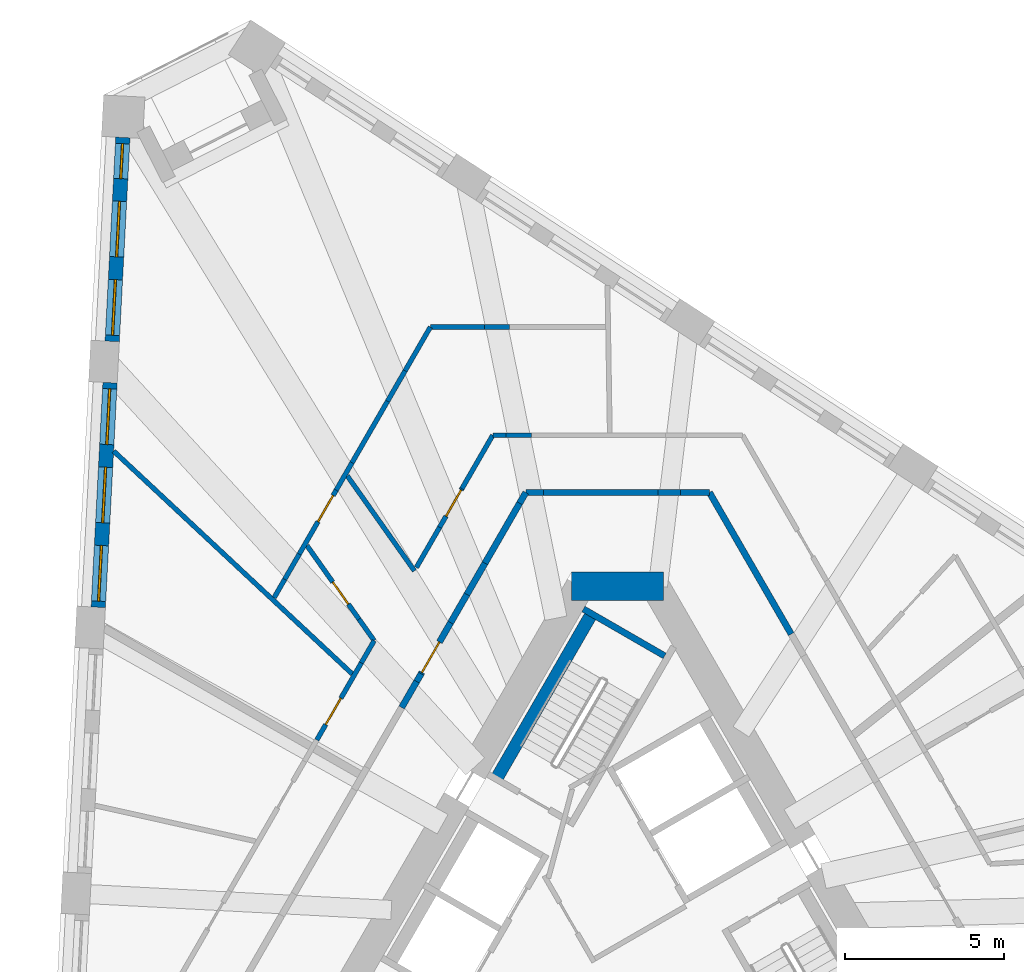
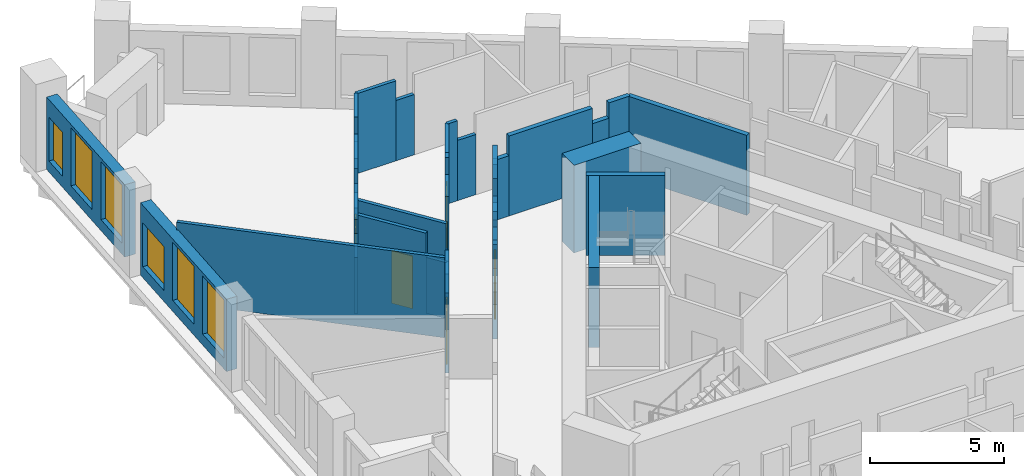
# One storey, part 7 of 13: 37 walls, 6 windows, 5 doors, 11 openings.
"""IFC4 building model written with IfcOpenShell, lengths in metres."""

from ifc_helpers import new_model, si_unit, direction, frame, frame_2d, origin, place, context, subcontext, project, spatial, polyline, rectangle, outline, extrude, material, layer, layer_set, type_object, element, fill, save


model = new_model("IFC4")

# Units and contexts
model_context = context("Model", 3, precision=1e-05, world=origin(), true_north=direction((0.0, 1.0)))
body_context = subcontext(model_context, "Body", "Model", "MODEL_VIEW")
ifc_project = project(units=[si_unit("LENGTHUNIT", "METRE"), si_unit("AREAUNIT", "SQUARE_METRE"), si_unit("VOLUMEUNIT", "CUBIC_METRE"), si_unit("PLANEANGLEUNIT", "RADIAN"), si_unit("MASSUNIT", "GRAM", prefix="KILO")], contexts=[model_context])

# Site, building, storey
site_placement = place(None, origin())
site = spatial("IfcSite", under=ifc_project, at=site_placement, CompositionType="ELEMENT")
building_placement = place(site_placement, origin())
building = spatial("IfcBuilding", under=site, at=building_placement, Name="Tramontana Tower", CompositionType="ELEMENT")
storey_placement = place(building_placement, frame((0.0, 0.0, 149.60009765625)))
storey = spatial("IfcBuildingStorey", under=building, at=storey_placement, Name="L34", CompositionType="ELEMENT", Elevation=149.60009765625)

# Walls
ifc_material_1 = material(Name="Concrete 70 MPa", Category="concrete")
ifc_layer_1 = layer(ifc_material_1, 0.89990234375)
ifc_layer_set_1 = layer_set([ifc_layer_1], Name="Core wall 900 70 MPa")
wall_type_1 = type_object("IfcWallType", Name="Core wall 900 70 MPa", PredefinedType="SHEAR", material=ifc_layer_set_1)
wall_1_placement = place(storey_placement, frame((1.443359375, 10.550048828125, 0.0), z_axis=(0.0, 0.0, 1.0), x_axis=(-1.0, 0.0, 0.0)))
element("IfcWall", 1, at=wall_1_placement, inside=storey, type_object=wall_type_1, Name="Core wall C0 L34", PredefinedType="SHEAR", context=body_context, shape_type="SweptSolid", body=[
    extrude(rectangle(XDim=2.88671875, YDim=0.89990234375, at=frame_2d((1.443359375, 0.0))), origin(), (0.0, 0.0, 1.0), 4.0),
])
ifc_material_2 = material(Name="Blockwork", Category="masonry")
ifc_layer_2 = layer(ifc_material_2, 0.199951171875)
ifc_layer_set_2 = layer_set([ifc_layer_2], Name="ENTRY WALL 200")
wall_type_2 = type_object("IfcWallType", Name="ENTRY WALL 200", PredefinedType="SOLIDWALL", material=ifc_layer_set_2)
wall_2_placement = place(storey_placement, frame((2.88671875, 13.5, 0.0), z_axis=(0.0, 0.0, 1.0), x_axis=(0.50000466804, -0.866022708674, 0.0)))
element("IfcWall", 2, at=wall_2_placement, inside=storey, type_object=wall_type_2, Name="Wall v32-ew0-0", PredefinedType="SOLIDWALL", context=body_context, shape_type="SweptSolid", body=[
    extrude(rectangle(XDim=5.14208984375, YDim=0.199951171875, at=frame_2d((2.571044921875, 0.0))), origin(), (0.0, 0.0, 1.0), 3.64990234375),
])
wall_3_placement = place(storey_placement, frame((-6.790283203125, 6.739013671875, 0.0), z_axis=(0.0, 0.0, 1.0), x_axis=(0.500118100521, 0.865957207679, 0.0)))
element("IfcWall", 3, at=wall_3_placement, inside=storey, type_object=wall_type_2, Name="Wall v32-ew4-5", PredefinedType="SOLIDWALL", context=body_context, shape_type="SweptSolid", body=[
    extrude(rectangle(XDim=0.943603515625, YDim=0.199951171875, at=frame_2d((0.4716796875, 0.0))), origin(), (0.0, 0.0, 1.0), 2.5498046875),
])
wall_4_placement = place(storey_placement, frame((-6.318359375, 7.55615234375, 0.0), z_axis=(0.0, 0.0, 1.0), x_axis=(0.499973348067, 0.866040790738, 0.0)))
element("IfcWall", 4, at=wall_4_placement, inside=storey, type_object=wall_type_2, Name="Wall v32-ew4-6", PredefinedType="SOLIDWALL", context=body_context, shape_type="SweptSolid", body=[
    extrude(rectangle(XDim=0.28076171875, YDim=0.199951171875, at=frame_2d((0.140380859375, 0.0))), origin(), (0.0, 0.0, 1.0), 3.64990234375),
])

# Wall, opening, door
wall_5_placement = place(storey_placement, frame((-6.177978515625, 7.79931640625, 0.0), z_axis=(0.0, 0.0, 1.0), x_axis=(0.499999386358, 0.86602575807, 0.0)))
wall_5 = element("IfcWall", 5, at=wall_5_placement, inside=storey, type_object=wall_type_2, Name="Wall v32-ew4-7", PredefinedType="SOLIDWALL", context=body_context, shape_type="SweptSolid", body=[
    extrude(outline(polyline([(0.0, 0.0), (1.85693359375, 0.0), (1.85693359375, 2.5498046875), (0.833251953125, 2.5498046875), (0.833251953125, 3.64990234375), (0.0, 3.64990234375), (0.0, 0.0)])), frame((0.0, 0.10009765625, 0.0), z_axis=(0.0, -1.0, 0.0), x_axis=(1.0, 0.0, 0.0)), (0.0, 0.0, 1.0), 0.199951171875),
])
opening_1_placement = place(wall_5_placement, frame((0.050048828125, 0.0, 0.0)))
opening_1 = element("IfcOpeningElement", 6, at=opening_1_placement, cuts=wall_5, Name="Opening B3C-21", PredefinedType="OPENING", context=body_context, shape_type="SweptSolid", body=[
    extrude(rectangle(XDim=1.10009765625, YDim=2.39990234375, at=frame_2d((0.550048828125, 1.199951171875))), frame((0.0, 0.10986328125, 0.0), z_axis=(0.0, -1.0, 0.0), x_axis=(1.0, 0.0, 0.0)), (0.0, 0.0, 1.0), 0.219970703125),
])
ifc_material_3 = material(Name="Painted timber", Category="wood")
door_type_1 = type_object("IfcDoorType", Name="DOOR ENTRY 1100", OperationType="SINGLE_SWING_LEFT", PredefinedType="DOOR", material=ifc_material_3)
door_1_placement = place(opening_1_placement, origin())
door_1 = element("IfcDoor", 7, at=door_1_placement, inside=storey, type_object=door_type_1, Name="Door B3C-21", OperationType="SINGLE_SWING_LEFT", OverallHeight=2.39990234375, OverallWidth=1.10009765625, PredefinedType="DOOR", context=body_context, shape_type="SweptSolid", body=[
    extrude(rectangle(XDim=1.10009765625, YDim=2.39990234375, at=frame_2d((0.550048828125, 1.199951171875))), frame((0.0, 0.02490234375, 0.0), z_axis=(0.0, -1.0, 0.0), x_axis=(1.0, 0.0, 0.0)), (0.0, 0.0, 1.0), 0.050048828125),
])
fill(opening_1, door_1)

# Walls
wall_6_placement = place(storey_placement, frame((-5.24951171875, 9.407470703125, 0.0), z_axis=(0.0, 0.0, 1.0), x_axis=(0.499991148707, 0.866030514021, 0.0)))
element("IfcWall", 8, at=wall_6_placement, inside=storey, type_object=wall_type_2, Name="Wall v32-ew4-8", PredefinedType="SOLIDWALL", context=body_context, shape_type="SweptSolid", body=[
    extrude(rectangle(XDim=1.0224609375, YDim=0.199951171875, at=frame_2d((0.51123046875, 0.0))), origin(), (0.0, 0.0, 1.0), 3.64990234375),
])
wall_7_placement = place(storey_placement, frame((-4.73828125, 10.29296875, 0.0), z_axis=(0.0, 0.0, 1.0), x_axis=(0.500001688065, 0.866024429177, 0.0)))
element("IfcWall", 9, at=wall_7_placement, inside=storey, type_object=wall_type_2, Name="Wall v32-ew4-9", PredefinedType="SOLIDWALL", context=body_context, shape_type="SweptSolid", body=[
    extrude(rectangle(XDim=1.13525390625, YDim=0.199951171875, at=frame_2d((0.567626953125, 0.0))), origin(), (0.0, 0.0, 1.0), 2.5498046875),
])
wall_8_placement = place(storey_placement, frame((-4.170654296875, 11.276123046875, 0.0), z_axis=(0.0, 0.0, 1.0), x_axis=(0.50001992892, 0.866013897511, 0.0)))
element("IfcWall", 10, at=wall_8_placement, inside=storey, type_object=wall_type_2, Name="Wall v32-ew4-10", PredefinedType="SOLIDWALL", context=body_context, shape_type="SweptSolid", body=[
    extrude(rectangle(XDim=2.1787109375, YDim=0.199951171875, at=frame_2d((1.08935546875, 0.0))), origin(), (0.0, 0.0, 1.0), 3.64990234375),
])
wall_9_placement = place(storey_placement, frame((-3.081298828125, 13.162841796875, 0.0), z_axis=(0.0, 0.0, 1.0), x_axis=(0.499849133735, 0.866112488944, 0.0)))
element("IfcWall", 11, at=wall_9_placement, inside=storey, type_object=wall_type_2, Name="Wall v32-ew4-11", PredefinedType="SOLIDWALL", context=body_context, shape_type="SweptSolid", body=[
    extrude(rectangle(XDim=0.38916015625, YDim=0.199951171875, at=frame_2d((0.194580078125, 0.0))), origin(), (0.0, 0.0, 1.0), 2.75),
])
wall_10_placement = place(storey_placement, frame((-2.88671875, 13.5, 0.0), z_axis=(0.0, 0.0, 1.0), x_axis=(1.0, 0.0, 0.0)))
element("IfcWall", 12, at=wall_10_placement, inside=storey, type_object=wall_type_2, Name="Wall v32-ew5-0", PredefinedType="SOLIDWALL", context=body_context, shape_type="SweptSolid", body=[
    extrude(rectangle(XDim=0.55322265625, YDim=0.199951171875, at=frame_2d((0.276611328125, 0.0))), origin(), (0.0, 0.0, 1.0), 2.75),
])
wall_11_placement = place(storey_placement, frame((-2.33349609375, 13.5, 0.0), z_axis=(0.0, 0.0, 1.0), x_axis=(1.0, 0.0, 0.0)))
element("IfcWall", 13, at=wall_11_placement, inside=storey, type_object=wall_type_2, Name="Wall v32-ew5-1", PredefinedType="SOLIDWALL", context=body_context, shape_type="SweptSolid", body=[
    extrude(rectangle(XDim=3.6025390625, YDim=0.199951171875, at=frame_2d((1.80126953125, 0.0))), origin(), (0.0, 0.0, 1.0), 3.64990234375),
])
wall_12_placement = place(storey_placement, frame((1.26904296875, 13.5, 0.0), z_axis=(0.0, 0.0, 1.0), x_axis=(1.0, 0.0, 0.0)))
element("IfcWall", 14, at=wall_12_placement, inside=storey, type_object=wall_type_2, Name="Wall v32-ew5-2", PredefinedType="SOLIDWALL", context=body_context, shape_type="SweptSolid", body=[
    extrude(rectangle(XDim=0.704833984375, YDim=0.199951171875, at=frame_2d((0.3525390625, 0.0))), origin(), (0.0, 0.0, 1.0), 2.949951171875),
])
wall_13_placement = place(storey_placement, frame((1.973876953125, 13.5, 0.0), z_axis=(0.0, 0.0, 1.0), x_axis=(1.0, 0.0, 0.0)))
element("IfcWall", 15, at=wall_13_placement, inside=storey, type_object=wall_type_2, Name="Wall v32-ew5-3", PredefinedType="SOLIDWALL", context=body_context, shape_type="SweptSolid", body=[
    extrude(rectangle(XDim=0.912841796875, YDim=0.199951171875, at=frame_2d((0.45654296875, 0.0))), origin(), (0.0, 0.0, 1.0), 3.64990234375),
])

# Wall, openings, windows
ifc_material_4 = material(Name="Precast concrete 60 MPa", Category="concrete")
ifc_layer_3 = layer(ifc_material_4, 0.449951171875)
ifc_layer_set_3 = layer_set([ifc_layer_3], Name="Precast concrete 60 MPa, 450 mm")
wall_type_3 = type_object("IfcWallType", Name="EW1 Stone-faced precast wall 450", PredefinedType="SOLIDWALL", material=ifc_layer_set_3)
wall_14_placement = place(storey_placement, frame((-15.5556640625, 24.66259765625, 0.0), z_axis=(0.0, 0.0, 1.0), x_axis=(-0.052313391961, -0.998630717043, 0.0)))
wall_14 = element("IfcWall", 16, at=wall_14_placement, inside=storey, type_object=wall_type_3, Name="External wall L34 face 0 bay 1", PredefinedType="SOLIDWALL", context=body_context, shape_type="SweptSolid", body=[
    extrude(rectangle(XDim=6.421630859375, YDim=0.449951171875, at=frame_2d((3.2109375, 0.0))), origin(), (0.0, 0.0, 1.0), 3.2998046875),
])
opening_2_placement = place(wall_14_placement, frame((0.1953125, 0.0, 0.5)))
opening_2 = element("IfcOpeningElement", 17, at=opening_2_placement, cuts=wall_14, Name="Opening N2L", PredefinedType="OPENING", context=body_context, shape_type="SweptSolid", body=[
    extrude(rectangle(XDim=1.10009765625, YDim=2.0, at=frame_2d((0.550048828125, 1.0))), frame((0.0, 0.23486328125, 0.0), z_axis=(0.0, -1.0, 0.0), x_axis=(1.0, 0.0, 0.0)), (0.0, 0.0, 1.0), 0.469970703125),
])
opening_3_placement = place(wall_14_placement, frame((2.0107421875, 0.0, 0.5)))
opening_3 = element("IfcOpeningElement", 18, at=opening_3_placement, cuts=wall_14, Name="Opening M2", PredefinedType="OPENING", context=body_context, shape_type="SweptSolid", body=[
    extrude(rectangle(XDim=1.75, YDim=2.64990234375, at=frame_2d((0.875, 1.324951171875))), frame((0.0, 0.23486328125, 0.0), z_axis=(0.0, -1.0, 0.0), x_axis=(1.0, 0.0, 0.0)), (0.0, 0.0, 1.0), 0.469970703125),
])
opening_4_placement = place(wall_14_placement, frame((4.476318359375, 0.0, 0.5)))
opening_4 = element("IfcOpeningElement", 19, at=opening_4_placement, cuts=wall_14, Name="Opening M2", PredefinedType="OPENING", context=body_context, shape_type="SweptSolid", body=[
    extrude(rectangle(XDim=1.75, YDim=2.64990234375, at=frame_2d((0.875, 1.324951171875))), frame((0.0, 0.23486328125, 0.0), z_axis=(0.0, -1.0, 0.0), x_axis=(1.0, 0.0, 0.0)), (0.0, 0.0, 1.0), 0.469970703125),
])
ifc_material_5 = material(Name="Aluminum frame, double glazing unit", Category="aluminium")
window_type_1 = type_object("IfcWindowType", Name="M2 Window 1.75 x 2.65", PartitioningType="SINGLE_PANEL", PredefinedType="WINDOW", material=ifc_material_5)
window_1_placement = place(opening_3_placement, origin())
window_1 = element("IfcWindow", 20, at=window_1_placement, inside=storey, type_object=window_type_1, Name="Window M2 L34 face 0 module 2", OverallHeight=2.64990234375, OverallWidth=1.75, PartitioningType="SINGLE_PANEL", PredefinedType="WINDOW", context=body_context, shape_type="SweptSolid", body=[
    extrude(rectangle(XDim=1.75, YDim=2.64990234375, at=frame_2d((0.875, 1.324951171875))), frame((0.0, 0.030029296875, 0.0), z_axis=(0.0, -1.0, 0.0), x_axis=(1.0, 0.0, 0.0)), (0.0, 0.0, 1.0), 0.06005859375),
])
fill(opening_3, window_1)
window_2_placement = place(opening_4_placement, origin())
window_2 = element("IfcWindow", 21, at=window_2_placement, inside=storey, type_object=window_type_1, Name="Window M2 L34 face 0 module 3", OverallHeight=2.64990234375, OverallWidth=1.75, PartitioningType="SINGLE_PANEL", PredefinedType="WINDOW", context=body_context, shape_type="SweptSolid", body=[
    extrude(rectangle(XDim=1.75, YDim=2.64990234375, at=frame_2d((0.875, 1.324951171875))), frame((0.0, 0.030029296875, 0.0), z_axis=(0.0, -1.0, 0.0), x_axis=(1.0, 0.0, 0.0)), (0.0, 0.0, 1.0), 0.06005859375),
])
fill(opening_4, window_2)
ifc_material_6 = material(Name="Aluminum frame, double glazing unit", Category="aluminium")
window_type_2 = type_object("IfcWindowType", Name="N2L Window 1.1 x 2", PartitioningType="SINGLE_PANEL", PredefinedType="WINDOW", material=ifc_material_6)
window_3_placement = place(opening_2_placement, origin())
window_3 = element("IfcWindow", 22, at=window_3_placement, inside=storey, type_object=window_type_2, Name="Window N2L L34 face 0 module 1", OverallHeight=2.0, OverallWidth=1.10009765625, PartitioningType="SINGLE_PANEL", PredefinedType="WINDOW", context=body_context, shape_type="SweptSolid", body=[
    extrude(rectangle(XDim=1.10009765625, YDim=2.0, at=frame_2d((0.550048828125, 1.0))), frame((0.0, 0.030029296875, 0.0), z_axis=(0.0, -1.0, 0.0), x_axis=(1.0, 0.0, 0.0)), (0.0, 0.0, 1.0), 0.06005859375),
])
fill(opening_2, window_3)

wall_15_placement = place(storey_placement, frame((-15.959716796875, 16.95166015625, 0.0), z_axis=(0.0, 0.0, 1.0), x_axis=(-0.052337766399, -0.998629439887, 0.0)))
wall_15 = element("IfcWall", 23, at=wall_15_placement, inside=storey, type_object=wall_type_3, Name="External wall L34 face 0 bay 2", PredefinedType="SOLIDWALL", context=body_context, shape_type="SweptSolid", body=[
    extrude(rectangle(XDim=7.07177734375, YDim=0.449951171875, at=frame_2d((3.535888671875, 0.0))), origin(), (0.0, 0.0, 1.0), 3.2998046875),
])
opening_5_placement = place(wall_15_placement, frame((0.1953125, 0.0, 0.5)))
opening_5 = element("IfcOpeningElement", 24, at=opening_5_placement, cuts=wall_15, Name="Opening M2L", PredefinedType="OPENING", context=body_context, shape_type="SweptSolid", body=[
    extrude(rectangle(XDim=1.75, YDim=2.0, at=frame_2d((0.875, 1.0))), frame((0.0, 0.23486328125, 0.0), z_axis=(0.0, -1.0, 0.0), x_axis=(1.0, 0.0, 0.0)), (0.0, 0.0, 1.0), 0.469970703125),
])
opening_6_placement = place(wall_15_placement, frame((2.660888671875, 0.0, 0.5)))
opening_6 = element("IfcOpeningElement", 25, at=opening_6_placement, cuts=wall_15, Name="Opening M2", PredefinedType="OPENING", context=body_context, shape_type="SweptSolid", body=[
    extrude(rectangle(XDim=1.75, YDim=2.64990234375, at=frame_2d((0.875, 1.324951171875))), frame((0.0, 0.23486328125, 0.0), z_axis=(0.0, -1.0, 0.0), x_axis=(1.0, 0.0, 0.0)), (0.0, 0.0, 1.0), 0.469970703125),
])
opening_7_placement = place(wall_15_placement, frame((5.126220703125, 0.0, 0.5)))
opening_7 = element("IfcOpeningElement", 26, at=opening_7_placement, cuts=wall_15, Name="Opening M2", PredefinedType="OPENING", context=body_context, shape_type="SweptSolid", body=[
    extrude(rectangle(XDim=1.75, YDim=2.64990234375, at=frame_2d((0.875, 1.324951171875))), frame((0.0, 0.23486328125, 0.0), z_axis=(0.0, -1.0, 0.0), x_axis=(1.0, 0.0, 0.0)), (0.0, 0.0, 1.0), 0.469970703125),
])
window_4_placement = place(opening_6_placement, origin())
window_4 = element("IfcWindow", 27, at=window_4_placement, inside=storey, type_object=window_type_1, Name="Window M2 L34 face 0 module 5", OverallHeight=2.64990234375, OverallWidth=1.75, PartitioningType="SINGLE_PANEL", PredefinedType="WINDOW", context=body_context, shape_type="SweptSolid", body=[
    extrude(rectangle(XDim=1.75, YDim=2.64990234375, at=frame_2d((0.875, 1.324951171875))), frame((0.0, 0.030029296875, 0.0), z_axis=(0.0, -1.0, 0.0), x_axis=(1.0, 0.0, 0.0)), (0.0, 0.0, 1.0), 0.06005859375),
])
fill(opening_6, window_4)
window_5_placement = place(opening_7_placement, origin())
window_5 = element("IfcWindow", 28, at=window_5_placement, inside=storey, type_object=window_type_1, Name="Window M2 L34 face 0 module 6", OverallHeight=2.64990234375, OverallWidth=1.75, PartitioningType="SINGLE_PANEL", PredefinedType="WINDOW", context=body_context, shape_type="SweptSolid", body=[
    extrude(rectangle(XDim=1.75, YDim=2.64990234375, at=frame_2d((0.875, 1.324951171875))), frame((0.0, 0.030029296875, 0.0), z_axis=(0.0, -1.0, 0.0), x_axis=(1.0, 0.0, 0.0)), (0.0, 0.0, 1.0), 0.06005859375),
])
fill(opening_7, window_5)
ifc_material_7 = material(Name="Aluminum frame, double glazing unit", Category="aluminium")
window_type_3 = type_object("IfcWindowType", Name="M2L Window 1.75 x 2", PartitioningType="SINGLE_PANEL", PredefinedType="WINDOW", material=ifc_material_7)
window_6_placement = place(opening_5_placement, origin())
window_6 = element("IfcWindow", 29, at=window_6_placement, inside=storey, type_object=window_type_3, Name="Window M2L L34 face 0 module 4", OverallHeight=2.0, OverallWidth=1.75, PartitioningType="SINGLE_PANEL", PredefinedType="WINDOW", context=body_context, shape_type="SweptSolid", body=[
    extrude(rectangle(XDim=1.75, YDim=2.0, at=frame_2d((0.875, 1.0))), frame((0.0, 0.030029296875, 0.0), z_axis=(0.0, -1.0, 0.0), x_axis=(1.0, 0.0, 0.0)), (0.0, 0.0, 1.0), 0.06005859375),
])
fill(opening_5, window_6)

# Wall, opening, door
ifc_material_8 = material(Name="Gypsum board partition")
ifc_layer_4 = layer(ifc_material_8, 0.14990234375)
ifc_layer_set_4 = layer_set([ifc_layer_4], Name="PARTITION 150")
wall_type_4 = type_object("IfcWallType", Name="PARTITION 150", PredefinedType="PARTITIONING", material=ifc_layer_set_4)
wall_16_placement = place(storey_placement, frame((-9.457763671875, 5.71875, 0.0), z_axis=(0.0, 0.0, 1.0), x_axis=(0.499996941814, 0.866027169422, 0.0)))
wall_16 = element("IfcWall", 30, at=wall_16_placement, inside=storey, type_object=wall_type_4, Name="Wall v32-pw02-4", PredefinedType="PARTITIONING", context=body_context, shape_type="SweptSolid", body=[
    extrude(rectangle(XDim=2.79736328125, YDim=0.14990234375, at=frame_2d((1.398681640625, 0.0))), origin(), (0.0, 0.0, 1.0), 3.64990234375),
])
opening_8_placement = place(wall_16_placement, frame((0.560302734375, 0.0, 0.0)))
opening_8 = element("IfcOpeningElement", 31, at=opening_8_placement, cuts=wall_16, Name="Opening B3C-05", PredefinedType="OPENING", context=body_context, shape_type="SweptSolid", body=[
    extrude(rectangle(XDim=0.949951171875, YDim=2.39990234375, at=frame_2d((0.47509765625, 1.199951171875))), frame((0.0, 0.0849609375, 0.0), z_axis=(0.0, -1.0, 0.0), x_axis=(1.0, 0.0, 0.0)), (0.0, 0.0, 1.0), 0.169921875),
])
ifc_material_9 = material(Name="Painted timber", Category="wood")
door_type_2 = type_object("IfcDoorType", Name="DOOR ROOM 950", OperationType="SINGLE_SWING_LEFT", PredefinedType="DOOR", material=ifc_material_9)
door_2_placement = place(opening_8_placement, origin())
door_2 = element("IfcDoor", 32, at=door_2_placement, inside=storey, type_object=door_type_2, Name="Door B3C-05", OperationType="SINGLE_SWING_LEFT", OverallHeight=2.39990234375, OverallWidth=0.949951171875, PredefinedType="DOOR", context=body_context, shape_type="SweptSolid", body=[
    extrude(rectangle(XDim=0.949951171875, YDim=2.39990234375, at=frame_2d((0.47509765625, 1.199951171875))), frame((0.0, 0.02490234375, 0.0), z_axis=(0.0, -1.0, 0.0), x_axis=(1.0, 0.0, 0.0)), (0.0, 0.0, 1.0), 0.050048828125),
])
fill(opening_8, door_2)

# Walls
wall_17_placement = place(storey_placement, frame((-8.05908203125, 8.141357421875, 0.0), z_axis=(0.0, 0.0, 1.0), x_axis=(0.500071185598, 0.865984300859, 0.0)))
element("IfcWall", 33, at=wall_17_placement, inside=storey, type_object=wall_type_4, Name="Wall v32-pw02-5", PredefinedType="PARTITIONING", context=body_context, shape_type="SweptSolid", body=[
    extrude(rectangle(XDim=0.80810546875, YDim=0.14990234375, at=frame_2d((0.404052734375, 0.0))), origin(), (0.0, 0.0, 1.0), 2.5498046875),
])
wall_18_placement = place(storey_placement, frame((-10.80126953125, 10.191650390625, 0.0), z_axis=(0.0, 0.0, 1.0), x_axis=(0.499923391538, 0.866069629183, 0.0)))
element("IfcWall", 34, at=wall_18_placement, inside=storey, type_object=wall_type_4, Name="Wall v32-pw06-0", PredefinedType="PARTITIONING", context=body_context, shape_type="SweptSolid", body=[
    extrude(rectangle(XDim=0.666015625, YDim=0.14990234375, at=frame_2d((0.3330078125, 0.0))), origin(), (0.0, 0.0, 1.0), 3.64990234375),
])
wall_19_placement = place(storey_placement, frame((-10.46826171875, 10.7685546875, 0.0), z_axis=(0.0, 0.0, 1.0), x_axis=(0.500060322201, 0.865990573944, 0.0)))
element("IfcWall", 35, at=wall_19_placement, inside=storey, type_object=wall_type_4, Name="Wall v32-pw06-1", PredefinedType="PARTITIONING", context=body_context, shape_type="SweptSolid", body=[
    extrude(rectangle(XDim=0.91748046875, YDim=0.14990234375, at=frame_2d((0.458740234375, 0.0))), origin(), (0.0, 0.0, 1.0), 2.5498046875),
])

# Wall, opening, door
wall_20_placement = place(storey_placement, frame((-10.009521484375, 11.56298828125, 0.0), z_axis=(0.0, 0.0, 1.0), x_axis=(0.499986579711, 0.866033151853, 0.0)))
wall_20 = element("IfcWall", 36, at=wall_20_placement, inside=storey, type_object=wall_type_4, Name="Wall v32-pw06-2", PredefinedType="PARTITIONING", context=body_context, shape_type="SweptSolid", body=[
    extrude(rectangle(XDim=2.3203125, YDim=0.14990234375, at=frame_2d((1.16015625, 0.0))), origin(), (0.0, 0.0, 1.0), 3.64990234375),
])
opening_9_placement = place(wall_20_placement, frame((1.178466796875, 0.0, 0.0)))
opening_9 = element("IfcOpeningElement", 37, at=opening_9_placement, cuts=wall_20, Name="Opening B3C-03", PredefinedType="OPENING", context=body_context, shape_type="SweptSolid", body=[
    extrude(rectangle(XDim=0.949951171875, YDim=2.39990234375, at=frame_2d((0.47509765625, 1.199951171875))), frame((0.0, 0.0849609375, 0.0), z_axis=(0.0, -1.0, 0.0), x_axis=(1.0, 0.0, 0.0)), (0.0, 0.0, 1.0), 0.169921875),
])
door_3_placement = place(opening_9_placement, origin())
door_3 = element("IfcDoor", 38, at=door_3_placement, inside=storey, type_object=door_type_2, Name="Door B3C-03", OperationType="SINGLE_SWING_LEFT", OverallHeight=2.39990234375, OverallWidth=0.949951171875, PredefinedType="DOOR", context=body_context, shape_type="SweptSolid", body=[
    extrude(rectangle(XDim=0.949951171875, YDim=2.39990234375, at=frame_2d((0.47509765625, 1.199951171875))), frame((0.0, 0.02490234375, 0.0), z_axis=(0.0, -1.0, 0.0), x_axis=(1.0, 0.0, 0.0)), (0.0, 0.0, 1.0), 0.050048828125),
])
fill(opening_9, door_3)

# Walls
wall_21_placement = place(storey_placement, frame((-8.849365234375, 13.572509765625, 0.0), z_axis=(0.0, 0.0, 1.0), x_axis=(0.499991453095, 0.866030338286, 0.0)))
element("IfcWall", 39, at=wall_21_placement, inside=storey, type_object=wall_type_4, Name="Wall v32-pw06-3", PredefinedType="PARTITIONING", context=body_context, shape_type="SweptSolid", body=[
    extrude(rectangle(XDim=0.9951171875, YDim=0.14990234375, at=frame_2d((0.49755859375, 0.0))), origin(), (0.0, 0.0, 1.0), 2.5498046875),
])
wall_22_placement = place(storey_placement, frame((-8.351806640625, 14.434326171875, 0.0), z_axis=(0.0, 0.0, 1.0), x_axis=(0.500040905051, 0.866001785954, 0.0)))
element("IfcWall", 40, at=wall_22_placement, inside=storey, type_object=wall_type_4, Name="Wall v32-pw06-4", PredefinedType="PARTITIONING", context=body_context, shape_type="SweptSolid", body=[
    extrude(rectangle(XDim=2.234130859375, YDim=0.14990234375, at=frame_2d((1.1171875, 0.0))), origin(), (0.0, 0.0, 1.0), 3.64990234375),
])
wall_23_placement = place(storey_placement, frame((-7.234619140625, 16.369140625, 0.0), z_axis=(0.0, 0.0, 1.0), x_axis=(0.499850094852, 0.866111934265, 0.0)))
element("IfcWall", 41, at=wall_23_placement, inside=storey, type_object=wall_type_4, Name="Wall v32-pw06-5", PredefinedType="PARTITIONING", context=body_context, shape_type="SweptSolid", body=[
    extrude(rectangle(XDim=1.103759765625, YDim=0.14990234375, at=frame_2d((0.5517578125, 0.0))), origin(), (0.0, 0.0, 1.0), 2.5498046875),
])
wall_24_placement = place(storey_placement, frame((-6.682861328125, 17.3251953125, 0.0), z_axis=(0.0, 0.0, 1.0), x_axis=(0.500108487576, 0.865962759392, 0.0)))
element("IfcWall", 42, at=wall_24_placement, inside=storey, type_object=wall_type_4, Name="Wall v32-pw06-6", PredefinedType="PARTITIONING", context=body_context, shape_type="SweptSolid", body=[
    extrude(rectangle(XDim=1.587646484375, YDim=0.14990234375, at=frame_2d((0.7939453125, 0.0))), origin(), (0.0, 0.0, 1.0), 3.64990234375),
])
wall_25_placement = place(storey_placement, frame((-8.501708984375, 14.02490234375, 0.0), z_axis=(0.0, 0.0, 1.0), x_axis=(0.577067936436, -0.81669614713, 0.0)))
element("IfcWall", 43, at=wall_25_placement, inside=storey, type_object=wall_type_4, Name="Wall v32-pw07-0", PredefinedType="PARTITIONING", context=body_context, shape_type="SweptSolid", body=[
    extrude(rectangle(XDim=3.66162109375, YDim=0.14990234375, at=frame_2d((1.830810546875, 0.0))), origin(), (0.0, 0.0, 1.0), 2.5498046875),
])
wall_26_placement = place(storey_placement, frame((-8.345458984375, 7.795166015625, 0.0), z_axis=(0.0, 0.0, 1.0), x_axis=(-0.730777599557, 0.68261563122, 0.0)))
element("IfcWall", 44, at=wall_26_placement, inside=storey, type_object=wall_type_4, Name="Wall v32-pw08", PredefinedType="PARTITIONING", context=body_context, shape_type="SweptSolid", body=[
    extrude(rectangle(XDim=10.26513671875, YDim=0.14990234375, at=frame_2d((5.132568359375, 0.0))), origin(), (0.0, 0.0, 1.0), 3.64990234375),
])
wall_27_placement = place(storey_placement, frame((-7.655029296875, 8.841064453125, 0.0), z_axis=(0.0, 0.0, 1.0), x_axis=(-0.577194939783, 0.816606393245, 0.0)))
element("IfcWall", 45, at=wall_27_placement, inside=storey, type_object=wall_type_4, Name="Wall v32-pw10-0", PredefinedType="PARTITIONING", context=body_context, shape_type="SweptSolid", body=[
    extrude(rectangle(XDim=0.823974609375, YDim=0.14990234375, at=frame_2d((0.412109375, 0.0))), origin(), (0.0, 0.0, 1.0), 2.5498046875),
])

# Wall, opening, door
wall_28_placement = place(storey_placement, frame((-8.130615234375, 9.513916015625, 0.0), z_axis=(0.0, 0.0, 1.0), x_axis=(-0.577071604889, 0.816693555032, 0.0)))
wall_28 = element("IfcWall", 46, at=wall_28_placement, inside=storey, type_object=wall_type_4, Name="Wall v32-pw10-1", PredefinedType="PARTITIONING", context=body_context, shape_type="SweptSolid", body=[
    extrude(rectangle(XDim=2.83740234375, YDim=0.14990234375, at=frame_2d((1.418701171875, 0.0))), origin(), (0.0, 0.0, 1.0), 3.64990234375),
])
opening_10_placement = place(wall_28_placement, frame((0.581787109375, 0.0, 0.0)))
opening_10 = element("IfcOpeningElement", 47, at=opening_10_placement, cuts=wall_28, Name="Opening B3C-02", PredefinedType="OPENING", context=body_context, shape_type="SweptSolid", body=[
    extrude(rectangle(XDim=0.85009765625, YDim=2.39990234375, at=frame_2d((0.425048828125, 1.199951171875))), frame((0.0, 0.0849609375, 0.0), z_axis=(0.0, -1.0, 0.0), x_axis=(1.0, 0.0, 0.0)), (0.0, 0.0, 1.0), 0.169921875),
])
ifc_material_10 = material(Name="Painted timber", Category="wood")
door_type_3 = type_object("IfcDoorType", Name="DOOR BATH 850", OperationType="SINGLE_SWING_LEFT", PredefinedType="DOOR", material=ifc_material_10)
door_4_placement = place(opening_10_placement, origin())
door_4 = element("IfcDoor", 48, at=door_4_placement, inside=storey, type_object=door_type_3, Name="Door B3C-02", OperationType="SINGLE_SWING_RIGHT", OverallHeight=2.39990234375, OverallWidth=0.85009765625, PredefinedType="DOOR", context=body_context, shape_type="SweptSolid", body=[
    extrude(rectangle(XDim=0.85009765625, YDim=2.39990234375, at=frame_2d((0.425048828125, 1.199951171875))), frame((0.0, 0.02490234375, 0.0), z_axis=(0.0, -1.0, 0.0), x_axis=(1.0, 0.0, 0.0)), (0.0, 0.0, 1.0), 0.050048828125),
])
fill(opening_10, door_4)

# Wall
wall_29_placement = place(storey_placement, frame((-6.328125, 11.139404296875, 0.0), z_axis=(0.0, 0.0, 1.0), x_axis=(0.499929700969, 0.866065987145, 0.0)))
element("IfcWall", 49, at=wall_29_placement, inside=storey, type_object=wall_type_4, Name="Wall v32-pw11-1", PredefinedType="PARTITIONING", context=body_context, shape_type="SweptSolid", body=[
    extrude(rectangle(XDim=1.461669921875, YDim=0.14990234375, at=frame_2d((0.73095703125, 0.0))), origin(), (0.0, 0.0, 1.0), 3.64990234375),
])

# Wall, opening, door
wall_30_placement = place(storey_placement, frame((-5.597412109375, 12.4052734375, 0.0), z_axis=(0.0, 0.0, 1.0), x_axis=(0.500138618964, 0.865945357295, 0.0)))
wall_30 = element("IfcWall", 50, at=wall_30_placement, inside=storey, type_object=wall_type_4, Name="Wall v32-pw11-2", PredefinedType="PARTITIONING", context=body_context, shape_type="SweptSolid", body=[
    extrude(outline(polyline([(0.0, 0.0), (1.40478515625, 0.0), (1.405029296875, 3.64990234375), (1.103759765625, 3.64990234375), (1.103759765625, 2.5498046875), (0.0, 2.5498046875), (0.0, 0.0)])), frame((0.0, 0.074951171875, 0.0), z_axis=(0.0, -1.0, 0.0), x_axis=(1.0, 0.0, 0.0)), (0.0, 0.0, 1.0), 0.14990234375),
])
opening_11_placement = place(wall_30_placement, frame((0.405029296875, 0.0, 0.0)))
opening_11 = element("IfcOpeningElement", 51, at=opening_11_placement, cuts=wall_30, Name="Opening B3C-01", PredefinedType="OPENING", context=body_context, shape_type="SweptSolid", body=[
    extrude(rectangle(XDim=0.949951171875, YDim=2.39990234375, at=frame_2d((0.47509765625, 1.199951171875))), frame((0.0, 0.0849609375, 0.0), z_axis=(0.0, -1.0, 0.0), x_axis=(1.0, 0.0, 0.0)), (0.0, 0.0, 1.0), 0.169921875),
])
door_5_placement = place(opening_11_placement, origin())
door_5 = element("IfcDoor", 52, at=door_5_placement, inside=storey, type_object=door_type_2, Name="Door B3C-01", OperationType="SINGLE_SWING_LEFT", OverallHeight=2.39990234375, OverallWidth=0.949951171875, PredefinedType="DOOR", context=body_context, shape_type="SweptSolid", body=[
    extrude(rectangle(XDim=0.949951171875, YDim=2.39990234375, at=frame_2d((0.47509765625, 1.199951171875))), frame((0.0, 0.02490234375, 0.0), z_axis=(0.0, -1.0, 0.0), x_axis=(1.0, 0.0, 0.0)), (0.0, 0.0, 1.0), 0.050048828125),
])
fill(opening_11, door_5)

# Walls
wall_31_placement = place(storey_placement, frame((-4.894775390625, 13.621826171875, 0.0), z_axis=(0.0, 0.0, 1.0), x_axis=(0.499933309731, 0.866063904005, 0.0)))
element("IfcWall", 53, at=wall_31_placement, inside=storey, type_object=wall_type_4, Name="Wall v32-pw11-3", PredefinedType="PARTITIONING", context=body_context, shape_type="SweptSolid", body=[
    extrude(rectangle(XDim=1.937744140625, YDim=0.14990234375, at=frame_2d((0.96875, 0.0))), origin(), (0.0, 0.0, 1.0), 3.64990234375),
])
wall_32_placement = place(storey_placement, frame((-5.888916015625, 18.699951171875, 0.0), z_axis=(0.0, 0.0, 1.0), x_axis=(1.0, 0.0, 0.0)))
element("IfcWall", 54, at=wall_32_placement, inside=storey, type_object=wall_type_4, Name="Wall v32-pw13-0", PredefinedType="PARTITIONING", context=body_context, shape_type="SweptSolid", body=[
    extrude(rectangle(XDim=1.69580078125, YDim=0.14990234375, at=frame_2d((0.847900390625, 0.0))), origin(), (0.0, 0.0, 1.0), 3.64990234375),
])
wall_33_placement = place(storey_placement, frame((-4.193115234375, 18.699951171875, 0.0), z_axis=(0.0, 0.0, 1.0), x_axis=(1.0, 0.0, 0.0)))
element("IfcWall", 55, at=wall_33_placement, inside=storey, type_object=wall_type_4, Name="Wall v32-pw13-1", PredefinedType="PARTITIONING", context=body_context, shape_type="SweptSolid", body=[
    extrude(rectangle(XDim=0.790771484375, YDim=0.14990234375, at=frame_2d((0.3955078125, 0.0))), origin(), (0.0, 0.0, 1.0), 2.75),
])
wall_34_placement = place(storey_placement, frame((-3.926025390625, 15.300048828125, 0.0), z_axis=(0.0, 0.0, 1.0), x_axis=(1.0, 0.0, 0.0)))
element("IfcWall", 56, at=wall_34_placement, inside=storey, type_object=wall_type_4, Name="Wall v32-pw14-0", PredefinedType="PARTITIONING", context=body_context, shape_type="SweptSolid", body=[
    extrude(rectangle(XDim=0.42333984375, YDim=0.14990234375, at=frame_2d((0.211669921875, 0.0))), origin(), (0.0, 0.0, 1.0), 3.64990234375),
])
wall_35_placement = place(storey_placement, frame((-3.502685546875, 15.300048828125, 0.0), z_axis=(0.0, 0.0, 1.0), x_axis=(1.0, 0.0, 0.0)))
element("IfcWall", 57, at=wall_35_placement, inside=storey, type_object=wall_type_4, Name="Wall v32-pw14-1", PredefinedType="PARTITIONING", context=body_context, shape_type="SweptSolid", body=[
    extrude(rectangle(XDim=0.791015625, YDim=0.14990234375, at=frame_2d((0.3955078125, 0.0))), origin(), (0.0, 0.0, 1.0), 2.75),
])
ifc_material_11 = material(Name="Concrete 70 MPa", Category="concrete")
ifc_layer_5 = layer(ifc_material_11, 0.39990234375)
ifc_layer_set_5 = layer_set([ifc_layer_5], Name="Concrete 70 MPa, 400 mm")
wall_type_5 = type_object("IfcWallType", Name="RC SHAFT BACK WALL 400", PredefinedType="SOLIDWALL", material=ifc_layer_set_5)
wall_36_placement = place(storey_placement, frame((-0.766357421875, 9.7724609375, 0.0), z_axis=(0.0, 0.0, 1.0), x_axis=(-0.500009909098, -0.866019682689, 0.0)))
element("IfcWall", 58, at=wall_36_placement, inside=storey, type_object=wall_type_5, Name="Wall st1-back", PredefinedType="SOLIDWALL", context=body_context, shape_type="SweptSolid", body=[
    extrude(rectangle(XDim=6.199951171875, YDim=0.39990234375, at=frame_2d((3.10009765625, 0.0))), origin(), (0.0, 0.0, 1.0), 3.64990234375),
])
ifc_material_12 = material(Name="Concrete 70 MPa", Category="concrete")
ifc_layer_6 = layer(ifc_material_12, 0.199951171875)
ifc_layer_set_6 = layer_set([ifc_layer_6], Name="Concrete 70 MPa, 200 mm")
wall_type_6 = type_object("IfcWallType", Name="RC STAIR AND SHAFT WALL 200", PredefinedType="SOLIDWALL", material=ifc_layer_set_6)
wall_37_placement = place(storey_placement, frame((1.478515625, 8.36083984375, 0.0), z_axis=(0.0, 0.0, 1.0), x_axis=(-0.866003658127, 0.500037662692, 0.0)))
element("IfcWall", 59, at=wall_37_placement, inside=storey, type_object=wall_type_6, Name="Wall st1-far", PredefinedType="SOLIDWALL", context=body_context, shape_type="SweptSolid", body=[
    extrude(rectangle(XDim=2.949951171875, YDim=0.199951171875, at=frame_2d((1.47509765625, 0.0))), origin(), (0.0, 0.0, 1.0), 3.64990234375),
])

save(model, "model.ifc")
